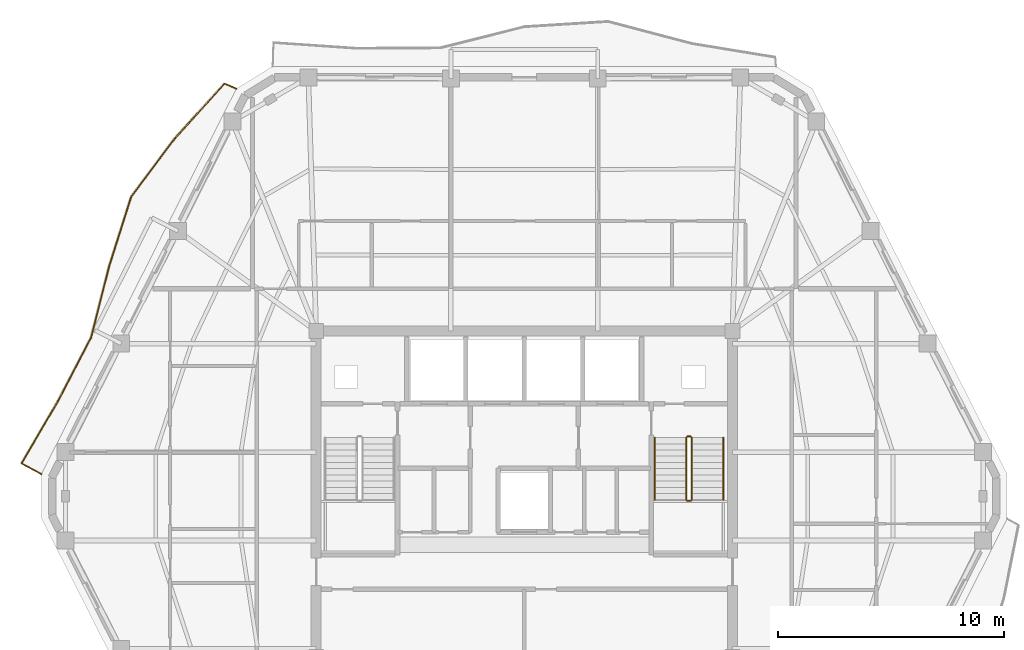
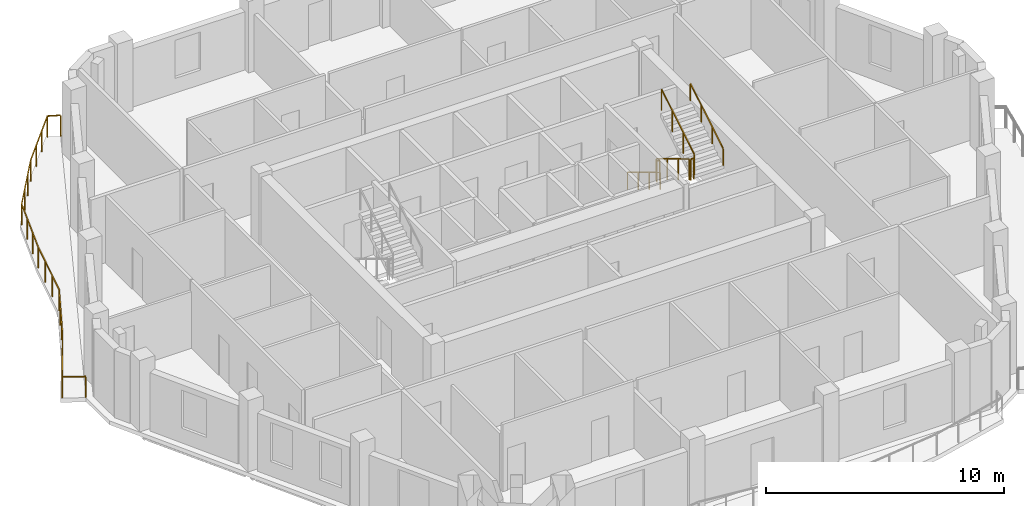
# One storey, part 10 of 11: 7 railings.
"""IFC4 building model written with IfcOpenShell, lengths in metres."""

from ifc_helpers import new_model, si_unit, direction, frame, origin, origin_2d, place, context, subcontext, project, spatial, rectangle, extrude, material, type_object, element, save


model = new_model("IFC4")

# Units and contexts
model_context = context("Model", 3, precision=1e-05, world=origin(), true_north=direction((0.0, 1.0)))
body_context = subcontext(model_context, "Body", "Model", "MODEL_VIEW")
ifc_project = project(units=[si_unit("LENGTHUNIT", "METRE"), si_unit("AREAUNIT", "SQUARE_METRE"), si_unit("VOLUMEUNIT", "CUBIC_METRE"), si_unit("PLANEANGLEUNIT", "RADIAN"), si_unit("MASSUNIT", "GRAM", prefix="KILO")], contexts=[model_context])

# Site, building, storey
site_placement = place(None, origin())
site = spatial("IfcSite", under=ifc_project, at=site_placement, CompositionType="ELEMENT")
building_placement = place(site_placement, origin())
building = spatial("IfcBuilding", under=site, at=building_placement, Name="Cinnabar Lancet Tower", CompositionType="ELEMENT")
storey_placement = place(building_placement, frame((0.0, 0.0, 234.300048828125)))
storey = spatial("IfcBuildingStorey", under=building, at=storey_placement, Name="L62", CompositionType="ELEMENT", Elevation=234.300048828125)

# Railings
ifc_material_1 = material(Name="Laminated safety glass and bronze stainless steel balustrade", Category="steel")
railing_type_1 = type_object("IfcRailingType", Name="ENV-RLG-BAL-1100", PredefinedType="BALUSTRADE", material=ifc_material_1)
railing_1_placement = place(storey_placement, frame((19.638916015625, 43.867919921875, 0.0)))
element("IfcRailing", 1, at=railing_1_placement, inside=storey, type_object=railing_type_1, Name="L62 Face 5 Wave Balcony Balustrade", PredefinedType="BALUSTRADE", context=body_context, shape_type="SweptSolid", body=[
    extrude(rectangle(XDim=0.048095703125, YDim=0.048095703125, at=origin_2d()), frame((0.0, 0.0, 1.076171875), z_axis=(-0.917180435213, 0.398472143647, 0.0), x_axis=(-0.398472143647, -0.917180435213, 0.0)), (0.0, 0.0, 1.0), 0.5625),
    extrude(rectangle(XDim=0.048095703125, YDim=0.048095703125, at=origin_2d()), frame((-0.515869140625, 0.22412109375, 1.076171875), z_axis=(-0.672322792206, -0.740258105717, 0.0), x_axis=(0.740258105717, -0.672322792206, 0.0)), (0.0, 0.0, 1.0), 3.299072265625),
    extrude(rectangle(XDim=0.048095703125, YDim=0.048095703125, at=origin_2d()), frame((-2.73388671875, -2.218017578125, 1.076171875), z_axis=(-0.598014099903, -0.801485580854, 0.0), x_axis=(0.801485580854, -0.598014099903, 0.0)), (0.0, 0.0, 1.0), 3.228759765625),
    extrude(rectangle(XDim=0.048095703125, YDim=0.048095703125, at=origin_2d()), frame((-4.664794921875, -4.805908203125, 1.076171875), z_axis=(-0.302175045173, -0.953252454534, 0.0), x_axis=(0.953252454534, -0.302175045173, 0.0)), (0.0, 0.0, 1.0), 3.2236328125),
    extrude(rectangle(XDim=0.048095703125, YDim=0.048095703125, at=origin_2d()), frame((-5.638916015625, -7.87890625, 1.076171875), z_axis=(-0.245442359396, -0.969411186347, 0.0), x_axis=(0.969411186347, -0.245442359396, 0.0)), (0.0, 0.0, 1.0), 3.259521484375),
    extrude(rectangle(XDim=0.048095703125, YDim=0.048095703125, at=origin_2d()), frame((-6.43896484375, -11.038818359375, 1.076171875), z_axis=(-0.462468943983, -0.886635480821, 0.0), x_axis=(0.886635480821, -0.462468943983, 0.0)), (0.0, 0.0, 1.0), 3.1806640625),
    extrude(rectangle(XDim=0.048095703125, YDim=0.048095703125, at=origin_2d()), frame((-7.909912109375, -13.85888671875, 1.076171875), z_axis=(-0.504994188347, -0.863122743146, 0.0), x_axis=(0.863122743146, -0.504994188347, 0.0)), (0.0, 0.0, 1.0), 3.1884765625),
    extrude(rectangle(XDim=0.048095703125, YDim=0.048095703125, at=origin_2d()), frame((-9.52001953125, -16.61083984375, 1.076171875), z_axis=(0.879535058106, -0.475834090374, 0.0), x_axis=(0.475834090374, 0.879535058106, 0.0)), (0.0, 0.0, 1.0), 0.99853515625),
    extrude(rectangle(XDim=0.0419921875, YDim=0.0419921875, at=origin_2d()), origin(), (0.0, 0.0, 1.0), 1.052001953125),
    extrude(rectangle(XDim=0.0419921875, YDim=0.0419921875, at=origin_2d()), frame((-0.515869140625, 0.22412109375, 0.0)), (0.0, 0.0, 1.0), 1.052001953125),
    extrude(rectangle(XDim=0.0419921875, YDim=0.0419921875, at=origin_2d()), frame((-1.255126953125, -0.58984375, 0.0)), (0.0, 0.0, 1.0), 1.052001953125),
    extrude(rectangle(XDim=0.0419921875, YDim=0.0419921875, at=origin_2d()), frame((-1.99462890625, -1.404052734375, 0.0)), (0.0, 0.0, 1.0), 1.052001953125),
    extrude(rectangle(XDim=0.0419921875, YDim=0.0419921875, at=origin_2d()), frame((-2.73388671875, -2.218017578125, 0.0)), (0.0, 0.0, 1.0), 1.052001953125),
    extrude(rectangle(XDim=0.0419921875, YDim=0.0419921875, at=origin_2d()), frame((-3.37744140625, -3.08056640625, 0.0)), (0.0, 0.0, 1.0), 1.052001953125),
    extrude(rectangle(XDim=0.0419921875, YDim=0.0419921875, at=origin_2d()), frame((-4.021240234375, -3.943359375, 0.0)), (0.0, 0.0, 1.0), 1.052001953125),
    extrude(rectangle(XDim=0.0419921875, YDim=0.0419921875, at=origin_2d()), frame((-4.664794921875, -4.805908203125, 0.0)), (0.0, 0.0, 1.0), 1.052001953125),
    extrude(rectangle(XDim=0.0419921875, YDim=0.0419921875, at=origin_2d()), frame((-4.989501953125, -5.830322265625, 0.0)), (0.0, 0.0, 1.0), 1.052001953125),
    extrude(rectangle(XDim=0.0419921875, YDim=0.0419921875, at=origin_2d()), frame((-5.314208984375, -6.8544921875, 0.0)), (0.0, 0.0, 1.0), 1.052001953125),
    extrude(rectangle(XDim=0.0419921875, YDim=0.0419921875, at=origin_2d()), frame((-5.638916015625, -7.87890625, 0.0)), (0.0, 0.0, 1.0), 1.052001953125),
    extrude(rectangle(XDim=0.0419921875, YDim=0.0419921875, at=origin_2d()), frame((-5.905517578125, -8.93212890625, 0.0)), (0.0, 0.0, 1.0), 1.052001953125),
    extrude(rectangle(XDim=0.0419921875, YDim=0.0419921875, at=origin_2d()), frame((-6.17236328125, -9.985595703125, 0.0)), (0.0, 0.0, 1.0), 1.052001953125),
    extrude(rectangle(XDim=0.0419921875, YDim=0.0419921875, at=origin_2d()), frame((-6.43896484375, -11.038818359375, 0.0)), (0.0, 0.0, 1.0), 1.052001953125),
    extrude(rectangle(XDim=0.0419921875, YDim=0.0419921875, at=origin_2d()), frame((-6.92919921875, -11.978759765625, 0.0)), (0.0, 0.0, 1.0), 1.052001953125),
    extrude(rectangle(XDim=0.0419921875, YDim=0.0419921875, at=origin_2d()), frame((-7.419677734375, -12.9189453125, 0.0)), (0.0, 0.0, 1.0), 1.052001953125),
    extrude(rectangle(XDim=0.0419921875, YDim=0.0419921875, at=origin_2d()), frame((-7.909912109375, -13.85888671875, 0.0)), (0.0, 0.0, 1.0), 1.052001953125),
    extrude(rectangle(XDim=0.0419921875, YDim=0.0419921875, at=origin_2d()), frame((-8.446533203125, -14.776123046875, 0.0)), (0.0, 0.0, 1.0), 1.052001953125),
    extrude(rectangle(XDim=0.0419921875, YDim=0.0419921875, at=origin_2d()), frame((-8.9833984375, -15.693603515625, 0.0)), (0.0, 0.0, 1.0), 1.052001953125),
    extrude(rectangle(XDim=0.0419921875, YDim=0.0419921875, at=origin_2d()), frame((-9.52001953125, -16.61083984375, 0.0)), (0.0, 0.0, 1.0), 1.052001953125),
    extrude(rectangle(XDim=0.0419921875, YDim=0.0419921875, at=origin_2d()), frame((-8.641845703125, -17.0859375, 0.0)), (0.0, 0.0, 1.0), 1.052001953125),
])
ifc_material_2 = material(Name="Painted galvanized steel balustrade", Category="steel")
railing_type_2 = type_object("IfcRailingType", Name="GUARD-STAIR", PredefinedType="GUARDRAIL", material=ifc_material_2)
railing_2_placement = place(storey_placement, frame((39.574951171875, 28.39990234375, 0.165771484375)))
element("IfcRailing", 2, at=railing_2_placement, inside=storey, type_object=railing_type_2, Name="L62 ST-2 stair guard 1", PredefinedType="GUARDRAIL", context=body_context, shape_type="SweptSolid", body=[
    extrude(rectangle(XDim=0.048095703125, YDim=0.048095703125, at=origin_2d()), frame((0.0, 0.0, 1.076171875), z_axis=(0.0, -0.856229400918, 0.51659579267), x_axis=(1.0, 0.0, 0.0)), (0.0, 0.0, 1.0), 3.211669921875),
    extrude(rectangle(XDim=0.0419921875, YDim=0.0419921875, at=origin_2d()), origin(), (0.0, 0.0, 1.0), 1.052001953125),
    extrude(rectangle(XDim=0.0419921875, YDim=0.0419921875, at=origin_2d()), frame((0.0, -0.916748046875, 0.552978515625)), (0.0, 0.0, 1.0), 1.052001953125),
    extrude(rectangle(XDim=0.0419921875, YDim=0.0419921875, at=origin_2d()), frame((0.0, -1.833251953125, 1.106201171875)), (0.0, 0.0, 1.0), 1.052001953125),
    extrude(rectangle(XDim=0.0419921875, YDim=0.0419921875, at=origin_2d()), frame((0.0, -2.75, 1.6591796875)), (0.0, 0.0, 1.0), 1.052001953125),
])
railing_3_placement = place(storey_placement, frame((39.625, 25.60009765625, 1.824951171875)))
element("IfcRailing", 3, at=railing_3_placement, inside=storey, type_object=railing_type_2, Name="L62 ST-2 stair guard 2", PredefinedType="GUARDRAIL", context=body_context, shape_type="SweptSolid", body=[
    extrude(rectangle(XDim=0.048095703125, YDim=0.048095703125, at=origin_2d()), frame((0.0, 0.0, 1.076171875), z_axis=(1.0, 0.0, 0.0), x_axis=(0.0, 1.0, 0.0)), (0.0, 0.0, 1.0), 0.14990234375),
    extrude(rectangle(XDim=0.0419921875, YDim=0.0419921875, at=origin_2d()), origin(), (0.0, 0.0, 1.0), 1.052001953125),
    extrude(rectangle(XDim=0.0419921875, YDim=0.0419921875, at=origin_2d()), frame((0.14990234375, 0.0, 0.0)), (0.0, 0.0, 1.0), 1.052001953125),
])
railing_4_placement = place(storey_placement, frame((39.824951171875, 25.64990234375, 1.990966796875)))
element("IfcRailing", 4, at=railing_4_placement, inside=storey, type_object=railing_type_2, Name="L62 ST-2 stair guard 3", PredefinedType="GUARDRAIL", context=body_context, shape_type="SweptSolid", body=[
    extrude(rectangle(XDim=0.048095703125, YDim=0.048095703125, at=origin_2d()), frame((0.0, 0.0, 1.076171875), z_axis=(0.0, 0.856263023582, 0.516540060834), x_axis=(-1.0, 0.0, 0.0)), (0.0, 0.0, 1.0), 3.211669921875),
    extrude(rectangle(XDim=0.0419921875, YDim=0.0419921875, at=origin_2d()), origin(), (0.0, 0.0, 1.0), 1.052001953125),
    extrude(rectangle(XDim=0.0419921875, YDim=0.0419921875, at=origin_2d()), frame((0.0, 0.916748046875, 0.552978515625)), (0.0, 0.0, 1.0), 1.052001953125),
    extrude(rectangle(XDim=0.0419921875, YDim=0.0419921875, at=origin_2d()), frame((0.0, 1.833251953125, 1.10595703125)), (0.0, 0.0, 1.0), 1.052001953125),
    extrude(rectangle(XDim=0.0419921875, YDim=0.0419921875, at=origin_2d()), frame((0.0, 2.75, 1.658935546875)), (0.0, 0.0, 1.0), 1.052001953125),
])
railing_5_placement = place(storey_placement, frame((39.625, 28.449951171875, 0.0)))
element("IfcRailing", 5, at=railing_5_placement, inside=storey, type_object=railing_type_2, Name="L62 ST-2 stair guard 4", PredefinedType="GUARDRAIL", context=body_context, shape_type="SweptSolid", body=[
    extrude(rectangle(XDim=0.048095703125, YDim=0.048095703125, at=origin_2d()), frame((0.0, 0.0, 1.076171875), z_axis=(1.0, 0.0, 0.0), x_axis=(0.0, 1.0, 0.0)), (0.0, 0.0, 1.0), 0.14990234375),
    extrude(rectangle(XDim=0.0419921875, YDim=0.0419921875, at=origin_2d()), origin(), (0.0, 0.0, 1.0), 1.052001953125),
    extrude(rectangle(XDim=0.0419921875, YDim=0.0419921875, at=origin_2d()), frame((0.14990234375, 0.0, 0.0)), (0.0, 0.0, 1.0), 1.052001953125),
])
ifc_material_3 = material(Name="Brushed stainless steel handrail", Category="steel")
railing_type_3 = type_object("IfcRailingType", Name="HANDRAIL-STAIR", PredefinedType="HANDRAIL", material=ifc_material_3)
railing_6_placement = place(storey_placement, frame((38.175048828125, 28.39990234375, 0.165771484375)))
element("IfcRailing", 6, at=railing_6_placement, inside=storey, type_object=railing_type_3, Name="L62 ST-2 stair handrail 1", PredefinedType="HANDRAIL", context=body_context, shape_type="SweptSolid", body=[
    extrude(rectangle(XDim=0.048095703125, YDim=0.048095703125, at=origin_2d()), frame((0.0, 0.0, 0.8759765625), z_axis=(0.0, -0.856229400918, 0.51659579267), x_axis=(1.0, 0.0, 0.0)), (0.0, 0.0, 1.0), 3.211669921875),
    extrude(rectangle(XDim=0.0419921875, YDim=0.0419921875, at=origin_2d()), origin(), (0.0, 0.0, 1.0), 0.851806640625),
    extrude(rectangle(XDim=0.0419921875, YDim=0.0419921875, at=origin_2d()), frame((0.0, -0.916748046875, 0.552978515625)), (0.0, 0.0, 1.0), 0.851806640625),
    extrude(rectangle(XDim=0.0419921875, YDim=0.0419921875, at=origin_2d()), frame((0.0, -1.833251953125, 1.106201171875)), (0.0, 0.0, 1.0), 0.851806640625),
    extrude(rectangle(XDim=0.0419921875, YDim=0.0419921875, at=origin_2d()), frame((0.0, -2.75, 1.6591796875)), (0.0, 0.0, 1.0), 0.851806640625),
])
railing_7_placement = place(storey_placement, frame((41.22509765625, 25.64990234375, 1.990966796875)))
element("IfcRailing", 7, at=railing_7_placement, inside=storey, type_object=railing_type_3, Name="L62 ST-2 stair handrail 2", PredefinedType="HANDRAIL", context=body_context, shape_type="SweptSolid", body=[
    extrude(rectangle(XDim=0.048095703125, YDim=0.048095703125, at=origin_2d()), frame((0.0, 0.0, 0.8759765625), z_axis=(0.0, 0.856263023582, 0.516540060834), x_axis=(-1.0, 0.0, 0.0)), (0.0, 0.0, 1.0), 3.211669921875),
    extrude(rectangle(XDim=0.0419921875, YDim=0.0419921875, at=origin_2d()), origin(), (0.0, 0.0, 1.0), 0.851806640625),
    extrude(rectangle(XDim=0.0419921875, YDim=0.0419921875, at=origin_2d()), frame((0.0, 0.916748046875, 0.552978515625)), (0.0, 0.0, 1.0), 0.851806640625),
    extrude(rectangle(XDim=0.0419921875, YDim=0.0419921875, at=origin_2d()), frame((0.0, 1.833251953125, 1.10595703125)), (0.0, 0.0, 1.0), 0.851806640625),
    extrude(rectangle(XDim=0.0419921875, YDim=0.0419921875, at=origin_2d()), frame((0.0, 2.75, 1.658935546875)), (0.0, 0.0, 1.0), 0.851806640625),
])

save(model, "model.ifc")
